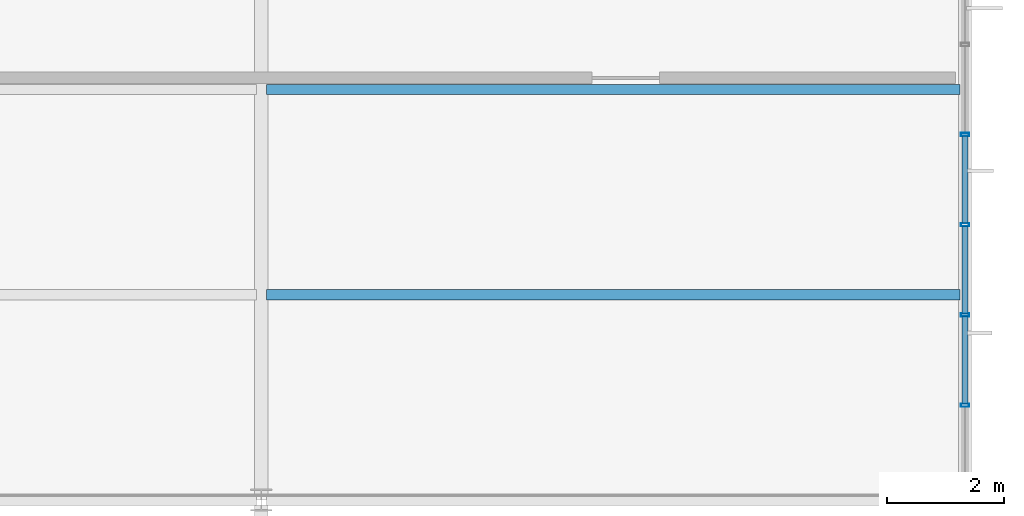
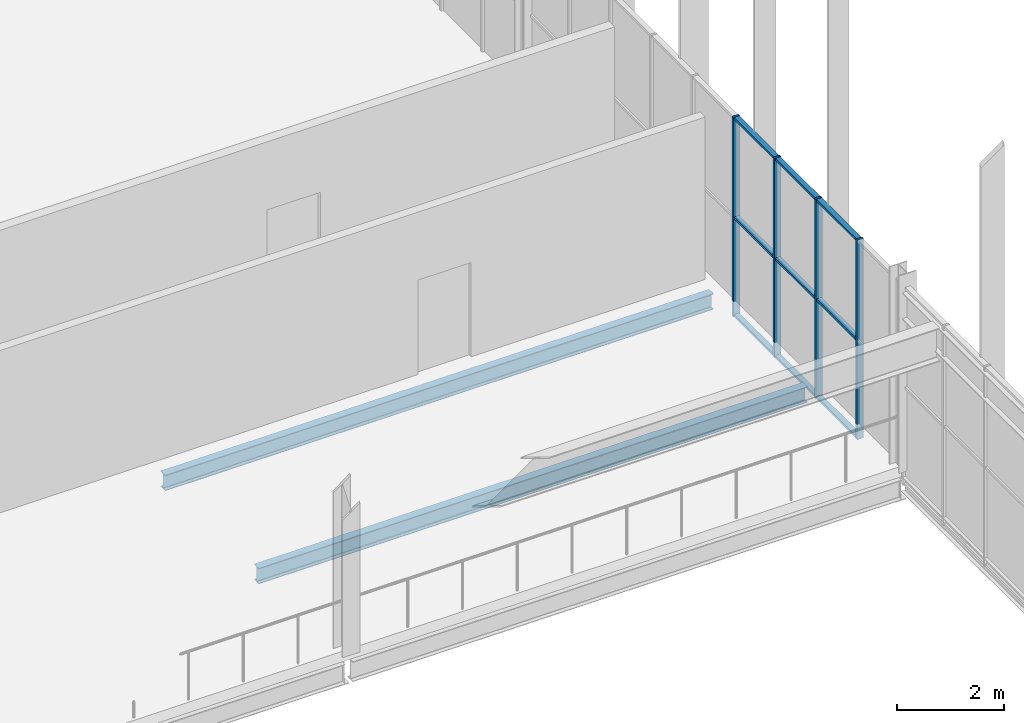
# One storey, part 202 of 324: 13 members, 2 beams, 1 element without a shape of its own.
"""IFC4 building model written with IfcOpenShell, lengths in metres."""

from ifc_helpers import new_model, si_unit, direction, frame, origin, origin_2d, place, context, subcontext, project, spatial, hollow_rectangle, i_section, extrude, material, layer, layer_set, material_profile, profile_set, type_object, element, aggregate, save


model = new_model("IFC4")

# Units and contexts
model_context = context("Model", 3, precision=1e-05, world=origin(), true_north=direction((0.0, 1.0)))
body_context = subcontext(model_context, "Body", "Model", "MODEL_VIEW")
ifc_project = project(units=[si_unit("LENGTHUNIT", "METRE"), si_unit("AREAUNIT", "SQUARE_METRE"), si_unit("VOLUMEUNIT", "CUBIC_METRE"), si_unit("PLANEANGLEUNIT", "RADIAN"), si_unit("MASSUNIT", "GRAM", prefix="KILO")], contexts=[model_context])

# Site, building, storey
site_placement = place(None, origin())
site = spatial("IfcSite", under=ifc_project, at=site_placement, CompositionType="ELEMENT")
building_placement = place(site_placement, origin())
building = spatial("IfcBuilding", under=site, at=building_placement, Name="Solvenia Promenade Tram Depot", CompositionType="ELEMENT")
storey_placement = place(building_placement, frame((0.0, 0.0, 4.5)))
storey = spatial("IfcBuildingStorey", under=building, at=storey_placement, Name="L01", CompositionType="ELEMENT", Elevation=4.5)

# Curtain wall, members
ifc_material_1 = material(Name="Anodized aluminium AW-6063 T6", Category="aluminium")
ifc_layer = layer(ifc_material_1, 0.080078125, Name="Anodized aluminium AW-6063 T6", Category="aluminium")
ifc_layer_set = layer_set([ifc_layer], Name="Anodized aluminium AW-6063 T6")
curtain_wall_type = type_object("IfcCurtainWallType", Name="CW-Clerest-1500", PredefinedType="NOTDEFINED", material=ifc_layer_set)
curtain_wall_placement = place(storey_placement, origin())
curtain_wall = element("IfcCurtainWall", 1, at=curtain_wall_placement, inside=storey, type_object=curtain_wall_type, Name="Curtain Wall CW-V2E-L1-2", PredefinedType="NOTDEFINED")
ifc_material_profile_1 = material_profile(ifc_material_1, hollow_rectangle(XDim=0.139892578125, YDim=0.054931640625, WallThickness=0.00390625, at=origin_2d()), Name="ALU-M4", Category="aluminium")
ifc_profile_set_1 = profile_set([ifc_material_profile_1], Name="Anodized aluminium AW-6063 T6")
member_type_1 = type_object("IfcMemberType", Name="CWM-Mullion-4", PredefinedType="MULLION", material=ifc_profile_set_1)
member_1_placement = place(storey_placement, frame((186.0, 39.61767578125, -0.35009765625), z_axis=(0.0, 0.0, 1.0), x_axis=(-1.0, 0.0, 0.0)))
member_1 = element("IfcMember", 2, at=member_1_placement, type_object=member_type_1, Name="CW-4 mullion 2", PredefinedType="MULLION", context=body_context, shape_type="SweptSolid", body=[
    extrude(hollow_rectangle(XDim=0.139892578125, YDim=0.054931640625, WallThickness=0.00390625, at=origin_2d()), origin(), (0.0, 0.0, 1.0), 4.550048828125),
])
member_2_placement = place(storey_placement, frame((186.0, 41.155517578125, -0.35009765625), z_axis=(0.0, 0.0, 1.0), x_axis=(-1.0, 0.0, 0.0)))
member_2 = element("IfcMember", 3, at=member_2_placement, type_object=member_type_1, Name="CW-4 mullion 3", PredefinedType="MULLION", context=body_context, shape_type="SweptSolid", body=[
    extrude(hollow_rectangle(XDim=0.139892578125, YDim=0.054931640625, WallThickness=0.00390625, at=origin_2d()), origin(), (0.0, 0.0, 1.0), 4.550048828125),
])
member_3_placement = place(storey_placement, frame((186.0, 42.693359375, -0.35009765625), z_axis=(0.0, 0.0, 1.0), x_axis=(-1.0, 0.0, 0.0)))
member_3 = element("IfcMember", 4, at=member_3_placement, type_object=member_type_1, Name="CW-4 mullion 4", PredefinedType="MULLION", context=body_context, shape_type="SweptSolid", body=[
    extrude(hollow_rectangle(XDim=0.139892578125, YDim=0.054931640625, WallThickness=0.00390625, at=origin_2d()), origin(), (0.0, 0.0, 1.0), 4.550048828125),
])
member_4_placement = place(storey_placement, frame((186.0, 44.231201171875, -0.35009765625), z_axis=(0.0, 0.0, 1.0), x_axis=(-1.0, 0.0, 0.0)))
member_4 = element("IfcMember", 5, at=member_4_placement, type_object=member_type_1, Name="CW-4 mullion 5", PredefinedType="MULLION", context=body_context, shape_type="SweptSolid", body=[
    extrude(hollow_rectangle(XDim=0.139892578125, YDim=0.054931640625, WallThickness=0.00390625, at=origin_2d()), origin(), (0.0, 0.0, 1.0), 4.550048828125),
])
ifc_material_profile_2 = material_profile(ifc_material_1, hollow_rectangle(XDim=0.110107421875, YDim=0.054931640625, WallThickness=0.00390625, at=origin_2d()), Name="ALU-T4", Category="aluminium")
ifc_profile_set_2 = profile_set([ifc_material_profile_2], Name="Anodized aluminium AW-6063 T6")
member_type_2 = type_object("IfcMemberType", Name="CWT-Transom-4", PredefinedType="USERDEFINED", material=ifc_profile_set_2)
member_5_placement = place(storey_placement, frame((186.0, 39.645263671875, -0.322509765625), z_axis=(0.0, 1.0, 0.0), x_axis=(-1.0, 0.0, 0.0)))
member_5 = element("IfcMember", 6, at=member_5_placement, type_object=member_type_2, Name="CW-4 transom 2.1", ObjectType="TRANSOM", PredefinedType="USERDEFINED", context=body_context, shape_type="SweptSolid", body=[
    extrude(hollow_rectangle(XDim=0.110107421875, YDim=0.054931640625, WallThickness=0.00390625, at=origin_2d()), origin(), (0.0, 0.0, 1.0), 1.48291015625),
])
member_6_placement = place(storey_placement, frame((186.0, 39.645263671875, 1.89990234375), z_axis=(0.0, 1.0, 0.0), x_axis=(-1.0, 0.0, 0.0)))
member_6 = element("IfcMember", 7, at=member_6_placement, type_object=member_type_2, Name="CW-4 transom 2.2", ObjectType="TRANSOM", PredefinedType="USERDEFINED", context=body_context, shape_type="SweptSolid", body=[
    extrude(hollow_rectangle(XDim=0.110107421875, YDim=0.054931640625, WallThickness=0.00390625, at=origin_2d()), origin(), (0.0, 0.0, 1.0), 1.48291015625),
])
member_7_placement = place(storey_placement, frame((186.0, 39.645263671875, 4.172607421875), z_axis=(0.0, 1.0, 0.0), x_axis=(-1.0, 0.0, 0.0)))
member_7 = element("IfcMember", 8, at=member_7_placement, type_object=member_type_2, Name="CW-4 transom 2.3", ObjectType="TRANSOM", PredefinedType="USERDEFINED", context=body_context, shape_type="SweptSolid", body=[
    extrude(hollow_rectangle(XDim=0.110107421875, YDim=0.054931640625, WallThickness=0.00390625, at=origin_2d()), origin(), (0.0, 0.0, 1.0), 1.48291015625),
])
member_8_placement = place(storey_placement, frame((186.0, 41.18310546875, -0.322509765625), z_axis=(0.0, 1.0, 0.0), x_axis=(-1.0, 0.0, 0.0)))
member_8 = element("IfcMember", 9, at=member_8_placement, type_object=member_type_2, Name="CW-4 transom 3.1", ObjectType="TRANSOM", PredefinedType="USERDEFINED", context=body_context, shape_type="SweptSolid", body=[
    extrude(hollow_rectangle(XDim=0.110107421875, YDim=0.054931640625, WallThickness=0.00390625, at=origin_2d()), origin(), (0.0, 0.0, 1.0), 1.482666015625),
])
member_9_placement = place(storey_placement, frame((186.0, 41.18310546875, 1.89990234375), z_axis=(0.0, 1.0, 0.0), x_axis=(-1.0, 0.0, 0.0)))
member_9 = element("IfcMember", 10, at=member_9_placement, type_object=member_type_2, Name="CW-4 transom 3.2", ObjectType="TRANSOM", PredefinedType="USERDEFINED", context=body_context, shape_type="SweptSolid", body=[
    extrude(hollow_rectangle(XDim=0.110107421875, YDim=0.054931640625, WallThickness=0.00390625, at=origin_2d()), origin(), (0.0, 0.0, 1.0), 1.482666015625),
])
member_10_placement = place(storey_placement, frame((186.0, 41.18310546875, 4.172607421875), z_axis=(0.0, 1.0, 0.0), x_axis=(-1.0, 0.0, 0.0)))
member_10 = element("IfcMember", 11, at=member_10_placement, type_object=member_type_2, Name="CW-4 transom 3.3", ObjectType="TRANSOM", PredefinedType="USERDEFINED", context=body_context, shape_type="SweptSolid", body=[
    extrude(hollow_rectangle(XDim=0.110107421875, YDim=0.054931640625, WallThickness=0.00390625, at=origin_2d()), origin(), (0.0, 0.0, 1.0), 1.482666015625),
])
member_11_placement = place(storey_placement, frame((186.0, 42.720947265625, -0.322509765625), z_axis=(0.0, 1.0, 0.0), x_axis=(-1.0, 0.0, 0.0)))
member_11 = element("IfcMember", 12, at=member_11_placement, type_object=member_type_2, Name="CW-4 transom 4.1", ObjectType="TRANSOM", PredefinedType="USERDEFINED", context=body_context, shape_type="SweptSolid", body=[
    extrude(hollow_rectangle(XDim=0.110107421875, YDim=0.054931640625, WallThickness=0.00390625, at=origin_2d()), origin(), (0.0, 0.0, 1.0), 1.482666015625),
])
member_12_placement = place(storey_placement, frame((186.0, 42.720947265625, 1.89990234375), z_axis=(0.0, 1.0, 0.0), x_axis=(-1.0, 0.0, 0.0)))
member_12 = element("IfcMember", 13, at=member_12_placement, type_object=member_type_2, Name="CW-4 transom 4.2", ObjectType="TRANSOM", PredefinedType="USERDEFINED", context=body_context, shape_type="SweptSolid", body=[
    extrude(hollow_rectangle(XDim=0.110107421875, YDim=0.054931640625, WallThickness=0.00390625, at=origin_2d()), origin(), (0.0, 0.0, 1.0), 1.482666015625),
])
member_13_placement = place(storey_placement, frame((186.0, 42.720947265625, 4.172607421875), z_axis=(0.0, 1.0, 0.0), x_axis=(-1.0, 0.0, 0.0)))
member_13 = element("IfcMember", 14, at=member_13_placement, type_object=member_type_2, Name="CW-4 transom 4.3", ObjectType="TRANSOM", PredefinedType="USERDEFINED", context=body_context, shape_type="SweptSolid", body=[
    extrude(hollow_rectangle(XDim=0.110107421875, YDim=0.054931640625, WallThickness=0.00390625, at=origin_2d()), origin(), (0.0, 0.0, 1.0), 1.482666015625),
])
aggregate(curtain_wall, [member_1, member_2, member_3, member_4, member_5, member_6, member_7, member_8, member_9, member_10, member_11, member_12, member_13])

# Beams
ifc_material_2 = material(Name="Structural steel ASTM A992 Gr. 50", Category="steel")
ifc_material_profile_3 = material_profile(ifc_material_2, i_section(OverallWidth=0.172119140625, OverallDepth=0.35791015625, WebThickness=0.0078125, FlangeThickness=0.01318359375, FilletRadius=0.010986328125, at=origin_2d()), Name="W360x57", Category="steel")
ifc_profile_set_3 = profile_set([ifc_material_profile_3], Name="Structural steel ASTM A992 Gr. 50")
beam_type = type_object("IfcBeamType", Name="Joist-W360x57", PredefinedType="JOIST", material=ifc_profile_set_3)
for number, where, z_axis, x_axis, name in (
    (15, (174.0849609375, 41.5, -0.4189453125), (1.0, 0.0, 0.0), (0.0, 1.0, 0.0), "Secondary Floor Joist BM-L01-0205"),
    (16, (174.0849609375, 45.0, -0.4189453125), (1.0, 0.0, 0.0), (0.0, 1.0, 0.0), "Secondary Floor Joist BM-L01-0206"),
):
    element("IfcBeam", number, at=place(storey_placement, frame(where, z_axis=z_axis, x_axis=x_axis)), inside=storey, type_object=beam_type, Name=name, PredefinedType="JOIST", context=body_context, shape_type="SweptSolid", body=[
        extrude(i_section(OverallWidth=0.172119140625, OverallDepth=0.35791015625, WebThickness=0.0078125, FlangeThickness=0.01318359375, FilletRadius=0.010986328125, at=origin_2d()), origin(), (0.0, 0.0, 1.0), 11.830078125),
    ])

save(model, "model.ifc")
